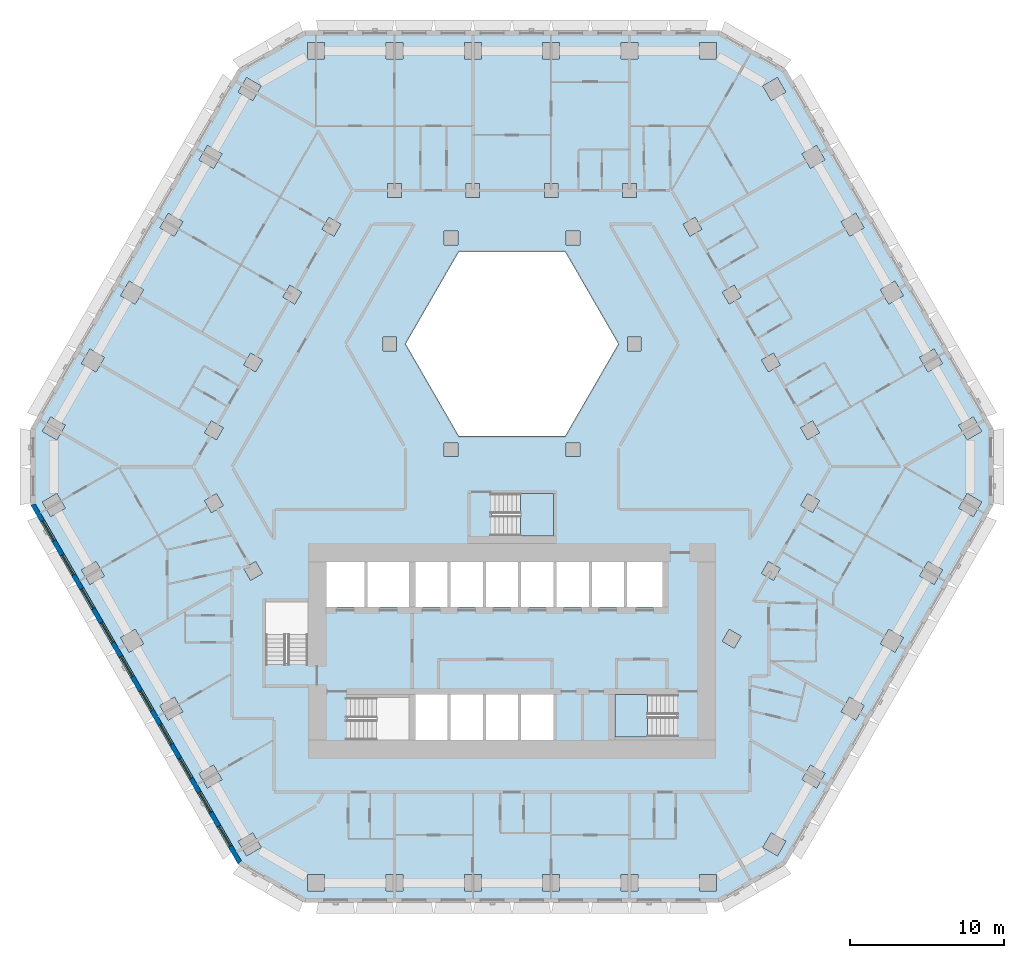
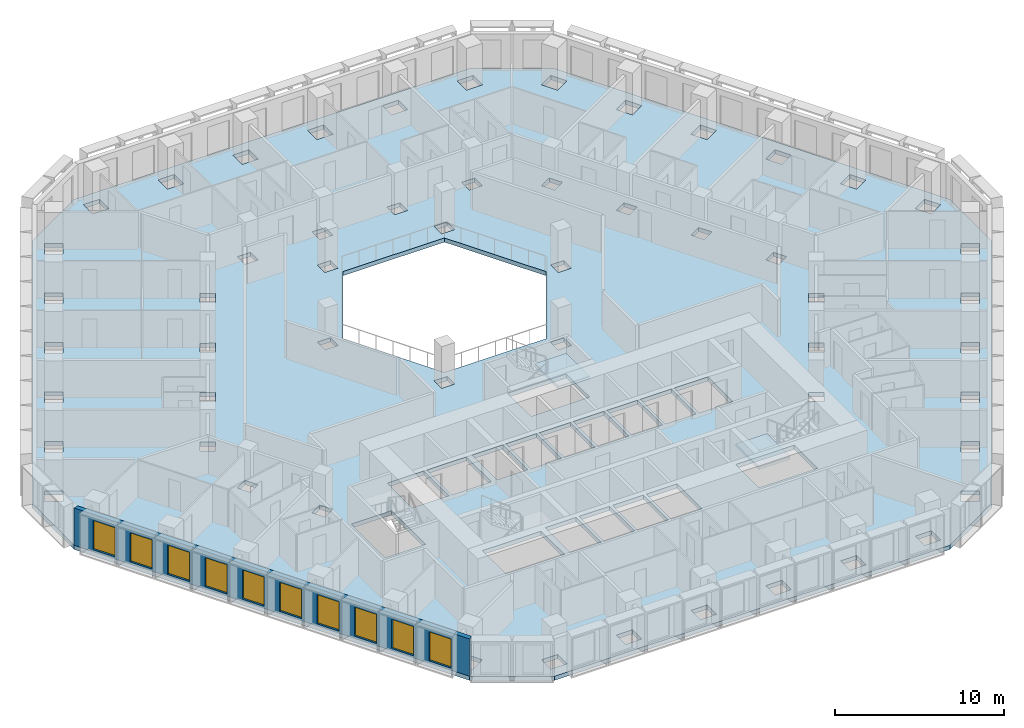
# One storey, part 2 of 21: 10 windows, 3 slabs, 1 wall, 10 openings, 2 elements without a shape of their own.
"""IFC4 building model written with IfcOpenShell, lengths in metres."""

from ifc_helpers import new_model, si_unit, direction, frame, frame_2d, origin, place, context, subcontext, project, spatial, polyline, rectangle, outline, extrude, material, layer, layer_set, type_object, element, fill, aggregate, save


model = new_model("IFC4")

# Units and contexts
model_context = context("Model", 3, precision=1e-05, world=origin(), true_north=direction((0.0, 1.0)))
body_context = subcontext(model_context, "Body", "Model", "MODEL_VIEW")
ifc_project = project(units=[si_unit("LENGTHUNIT", "METRE"), si_unit("AREAUNIT", "SQUARE_METRE"), si_unit("VOLUMEUNIT", "CUBIC_METRE"), si_unit("PLANEANGLEUNIT", "RADIAN"), si_unit("MASSUNIT", "GRAM", prefix="KILO")], contexts=[model_context])

# Site, building, storey
site_placement = place(None, origin())
site = spatial("IfcSite", under=ifc_project, at=site_placement, CompositionType="ELEMENT")
building_placement = place(site_placement, origin())
building = spatial("IfcBuilding", under=site, at=building_placement, Name="Beryl Residences", CompositionType="ELEMENT")
storey_placement = place(building_placement, frame((0.0, 0.0, 47.39990234375)))
storey = spatial("IfcBuildingStorey", under=building, at=storey_placement, Name="L14", CompositionType="ELEMENT", Elevation=47.39990234375)

# Slab
ifc_material_1 = material(Name="Concrete C40/50", Category="concrete")
ifc_layer_1 = layer(ifc_material_1, 0.300048828125)
ifc_layer_set_1 = layer_set([ifc_layer_1], Name="SL7 PT floor slab 300 mm C40/50")
slab_type_1 = type_object("IfcSlabType", Name="SL7 PT floor slab 300 mm C40/50", PredefinedType="FLOOR", material=ifc_layer_set_1)
slab_1_placement = place(storey_placement, frame((0.0, 0.0, -0.2998046875)))
element("IfcSlab", 1, at=slab_1_placement, inside=storey, type_object=slab_type_1, Name="L14 slab 1", PredefinedType="FLOOR", context=body_context, shape_type="SweptSolid", body=[
    extrude(outline(polyline([(31.35009765625, -2.5), (17.840087890625, -25.89990234375), (13.510009765625, -28.39990234375), (-13.510009765625, -28.39990234375), (-17.840087890625, -25.89990234375), (-31.35009765625, -2.5), (-31.35009765625, 2.5), (-17.840087890625, 25.89990234375), (-13.510009765625, 28.39990234375), (13.510009765625, 28.39990234375), (17.840087890625, 25.89990234375), (31.35009765625, 2.5), (31.35009765625, -2.5)]), holes=[polyline([(30.60009765625, -2.298095703125), (29.64794921875, -1.748046875), (29.097900390625, -2.699951171875), (30.050048828125, -3.25), (30.60009765625, -2.298095703125)]), polyline([(30.59912109375, 2.299072265625), (30.049072265625, 3.2509765625), (29.096923828125, 2.700927734375), (29.64697265625, 1.7490234375), (30.59912109375, 2.299072265625)]), polyline([(28.049072265625, -6.718017578125), (27.096923828125, -6.16796875), (26.547119140625, -7.1201171875), (27.4990234375, -7.669921875), (28.049072265625, -6.718017578125)]), polyline([(27.498046875, 7.672119140625), (26.5458984375, 7.1220703125), (27.095947265625, 6.169921875), (28.048095703125, 6.719970703125), (27.498046875, 7.672119140625)]), polyline([(24.544921875, -10.587890625), (23.9951171875, -11.5400390625), (24.947021484375, -12.090087890625), (25.4970703125, -11.137939453125), (24.544921875, -10.587890625)]), polyline([(25.49609375, 11.139892578125), (24.946044921875, 12.092041015625), (23.993896484375, 11.5419921875), (24.5439453125, 10.590087890625), (25.49609375, 11.139892578125)]), polyline([(22.39501953125, -16.510009765625), (22.945068359375, -15.55810546875), (21.992919921875, -15.008056640625), (21.443115234375, -15.9599609375), (22.39501953125, -16.510009765625)]), polyline([(22.39404296875, 16.511962890625), (21.44189453125, 15.9619140625), (21.991943359375, 15.010009765625), (22.944091796875, 15.56005859375), (22.39404296875, 16.511962890625)]), polyline([(20.39306640625, -19.97900390625), (19.44091796875, -19.428955078125), (18.89111328125, -20.381103515625), (19.843017578125, -20.930908203125), (20.39306640625, -19.97900390625)]), polyline([(19.842041015625, 20.931884765625), (18.889892578125, 20.382080078125), (19.43994140625, 19.429931640625), (20.39208984375, 19.97998046875), (19.842041015625, 20.931884765625)]), polyline([(20.031982421875, -2.2041015625), (19.251953125, -1.75390625), (18.802001953125, -2.533935546875), (19.58203125, -2.98388671875), (20.031982421875, -2.2041015625)]), polyline([(20.031005859375, 2.2060546875), (19.5810546875, 2.986083984375), (18.801025390625, 2.535888671875), (19.2509765625, 1.756103515625), (20.031005859375, 2.2060546875)]), polyline([(17.841064453125, -24.39892578125), (16.888916015625, -23.84912109375), (16.339111328125, -24.801025390625), (17.291015625, -25.35107421875), (17.841064453125, -24.39892578125)]), polyline([(17.840087890625, 24.39990234375), (17.2900390625, 25.35205078125), (16.337890625, 24.802001953125), (16.887939453125, 23.85009765625), (17.840087890625, 24.39990234375)]), polyline([(17.47998046875, -6.6240234375), (16.699951171875, -6.174072265625), (16.25, -6.9541015625), (17.030029296875, -7.404052734375), (17.47998046875, -6.6240234375)]), polyline([(17.029052734375, 7.406005859375), (16.2490234375, 6.9560546875), (16.698974609375, 6.176025390625), (17.47900390625, 6.6259765625), (17.029052734375, 7.406005859375)]), polyline([(14.927978515625, -11.0439453125), (14.14794921875, -10.593994140625), (13.697998046875, -11.3740234375), (14.47802734375, -11.823974609375), (14.927978515625, -11.0439453125)]), polyline([(14.927001953125, 11.0458984375), (14.47705078125, 11.825927734375), (13.697021484375, 11.3759765625), (14.14697265625, 10.595947265625), (14.927001953125, 11.0458984375)]), polyline([(13.31103515625, -27.64990234375), (13.31103515625, -26.550048828125), (12.2109375, -26.550048828125), (12.2109375, -27.64990234375), (13.31103515625, -27.64990234375)]), polyline([(13.30908203125, 27.64990234375), (12.208984375, 27.64990234375), (12.208984375, 26.550048828125), (13.30908203125, 26.550048828125), (13.30908203125, 27.64990234375)]), polyline([(11.925048828125, 16.24609375), (11.14501953125, 15.7958984375), (11.594970703125, 15.01611328125), (12.375, 15.466064453125), (11.925048828125, 16.24609375)]), polyline([(10.699951171875, -14.85009765625), (6.699951171875, -14.85009765625), (6.699951171875, -17.60009765625), (10.699951171875, -17.60009765625), (10.699951171875, -14.85009765625)]), polyline([(9.800048828125, -6.199951171875), (7.5, -6.199951171875), (7.5, -9.14990234375), (9.800048828125, -9.14990234375), (9.800048828125, -6.199951171875)]), polyline([(8.4169921875, 7.550048828125), (8.4169921875, 8.449951171875), (7.51708984375, 8.449951171875), (7.51708984375, 7.550048828125), (8.4169921875, 7.550048828125)]), polyline([(7.10693359375, -27.64990234375), (8.20703125, -27.64990234375), (8.20703125, -26.550048828125), (7.10693359375, -26.550048828125), (7.10693359375, -27.64990234375)]), polyline([(8.205078125, 27.64990234375), (7.10498046875, 27.64990234375), (7.10498046875, 26.550048828125), (8.205078125, 26.550048828125), (8.205078125, 27.64990234375)]), polyline([(7.205078125, 18.449951171875), (7.205078125, 17.550048828125), (8.10498046875, 17.550048828125), (8.10498046875, 18.449951171875), (7.205078125, 18.449951171875)]), polyline([(5.199951171875, -9.14990234375), (7.300048828125, -9.14990234375), (7.300048828125, -6.199951171875), (5.199951171875, -6.199951171875), (5.199951171875, -9.14990234375)]), polyline([(3.464111328125, 14.0), (-3.464111328125, 14.0), (-6.92822265625, 8.0), (-3.464111328125, 2.0), (3.464111328125, 2.0), (6.92822265625, 8.0), (3.464111328125, 14.0)]), polyline([(2.89990234375, -6.199951171875), (2.89990234375, -9.14990234375), (5.0, -9.14990234375), (5.0, -6.199951171875), (2.89990234375, -6.199951171875)]), polyline([(4.43408203125, 15.35009765625), (3.533935546875, 15.35009765625), (3.533935546875, 14.449951171875), (4.43408203125, 14.449951171875), (4.43408203125, 15.35009765625)]), polyline([(4.43408203125, 0.64990234375), (4.43408203125, 1.550048828125), (3.533935546875, 1.550048828125), (3.533935546875, 0.64990234375), (4.43408203125, 0.64990234375)]), polyline([(3.10302734375, -27.64990234375), (3.10302734375, -26.550048828125), (2.0029296875, -26.550048828125), (2.0029296875, -27.64990234375), (3.10302734375, -27.64990234375)]), polyline([(2.0009765625, 27.64990234375), (2.0009765625, 26.550048828125), (3.10107421875, 26.550048828125), (3.10107421875, 27.64990234375), (2.0009765625, 27.64990234375)]), polyline([(3.0009765625, 18.449951171875), (2.10107421875, 18.449951171875), (2.10107421875, 17.550048828125), (3.0009765625, 17.550048828125), (3.0009765625, 18.449951171875)]), polyline([(-1.300048828125, -1.75), (-1.300048828125, -4.5), (2.699951171875, -4.5), (2.699951171875, -1.75), (-1.300048828125, -1.75)]), polyline([(0.60009765625, -9.14990234375), (2.699951171875, -9.14990234375), (2.699951171875, -6.199951171875), (0.60009765625, -6.199951171875), (0.60009765625, -9.14990234375)]), polyline([(0.60009765625, -17.800048828125), (2.699951171875, -17.800048828125), (2.699951171875, -14.85009765625), (0.60009765625, -14.85009765625), (0.60009765625, -17.800048828125)]), polyline([(-1.699951171875, -6.199951171875), (-1.699951171875, -9.14990234375), (0.39990234375, -9.14990234375), (0.39990234375, -6.199951171875), (-1.699951171875, -6.199951171875)]), polyline([(-1.699951171875, -14.85009765625), (-1.699951171875, -17.800048828125), (0.39990234375, -17.800048828125), (0.39990234375, -14.85009765625), (-1.699951171875, -14.85009765625)]), polyline([(-4.0, -9.14990234375), (-1.89990234375, -9.14990234375), (-1.89990234375, -6.199951171875), (-4.0, -6.199951171875), (-4.0, -9.14990234375)]), polyline([(-4.0, -17.800048828125), (-1.89990234375, -17.800048828125), (-1.89990234375, -14.85009765625), (-4.0, -14.85009765625), (-4.0, -17.800048828125)]), polyline([(-2.0009765625, -27.64990234375), (-2.0009765625, -26.550048828125), (-3.10107421875, -26.550048828125), (-3.10107421875, -27.64990234375), (-2.0009765625, -27.64990234375)]), polyline([(-3.10302734375, 27.64990234375), (-3.10302734375, 26.550048828125), (-2.0029296875, 26.550048828125), (-2.0029296875, 27.64990234375), (-3.10302734375, 27.64990234375)]), polyline([(-2.10302734375, 18.449951171875), (-3.0029296875, 18.449951171875), (-3.0029296875, 17.550048828125), (-2.10302734375, 17.550048828125), (-2.10302734375, 18.449951171875)]), polyline([(-3.533935546875, 14.449951171875), (-3.533935546875, 15.35009765625), (-4.43408203125, 15.35009765625), (-4.43408203125, 14.449951171875), (-3.533935546875, 14.449951171875)]), polyline([(-3.533935546875, 0.64990234375), (-3.533935546875, 1.550048828125), (-4.43408203125, 1.550048828125), (-4.43408203125, 0.64990234375), (-3.533935546875, 0.64990234375)]), polyline([(-6.300048828125, -9.14990234375), (-4.199951171875, -9.14990234375), (-4.199951171875, -6.199951171875), (-6.300048828125, -6.199951171875), (-6.300048828125, -9.14990234375)]), polyline([(-6.300048828125, -14.85009765625), (-6.300048828125, -17.800048828125), (-4.199951171875, -17.800048828125), (-4.199951171875, -14.85009765625), (-6.300048828125, -14.85009765625)]), polyline([(-6.699951171875, -17.800048828125), (-6.699951171875, -15.050048828125), (-10.699951171875, -15.050048828125), (-10.699951171875, -17.800048828125), (-6.699951171875, -17.800048828125)]), polyline([(-9.39990234375, -6.199951171875), (-9.39990234375, -9.14990234375), (-6.699951171875, -9.14990234375), (-6.699951171875, -6.199951171875), (-9.39990234375, -6.199951171875)]), polyline([(-8.205078125, -27.64990234375), (-7.10498046875, -27.64990234375), (-7.10498046875, -26.550048828125), (-8.205078125, -26.550048828125), (-8.205078125, -27.64990234375)]), polyline([(-7.10693359375, 27.64990234375), (-8.20703125, 27.64990234375), (-8.20703125, 26.550048828125), (-7.10693359375, 26.550048828125), (-7.10693359375, 27.64990234375)]), polyline([(-8.10693359375, 18.449951171875), (-8.10693359375, 17.550048828125), (-7.20703125, 17.550048828125), (-7.20703125, 18.449951171875), (-8.10693359375, 18.449951171875)]), polyline([(-8.4169921875, 7.550048828125), (-7.51708984375, 7.550048828125), (-7.51708984375, 8.449951171875), (-8.4169921875, 8.449951171875), (-8.4169921875, 7.550048828125)]), polyline([(-12.10009765625, -6.199951171875), (-12.10009765625, -9.14990234375), (-9.60009765625, -9.14990234375), (-9.60009765625, -6.199951171875), (-12.10009765625, -6.199951171875)]), polyline([(-12.3759765625, 15.465087890625), (-11.595947265625, 15.014892578125), (-11.14599609375, 15.794921875), (-11.926025390625, 16.2451171875), (-12.3759765625, 15.465087890625)]), polyline([(-12.208984375, -26.550048828125), (-13.30908203125, -26.550048828125), (-13.30908203125, -27.64990234375), (-12.208984375, -27.64990234375), (-12.208984375, -26.550048828125)]), polyline([(-13.31103515625, 27.64990234375), (-13.31103515625, 26.550048828125), (-12.2109375, 26.550048828125), (-12.2109375, 27.64990234375), (-13.31103515625, 27.64990234375)]), polyline([(-13.300048828125, -8.800048828125), (-16.050048828125, -8.800048828125), (-16.050048828125, -12.800048828125), (-13.300048828125, -12.800048828125), (-13.300048828125, -8.800048828125)]), polyline([(-14.47802734375, 11.823974609375), (-14.927978515625, 11.0439453125), (-14.14794921875, 10.593994140625), (-13.697998046875, 11.3740234375), (-14.47802734375, 11.823974609375)]), polyline([(-17.029052734375, -7.406005859375), (-16.2490234375, -6.9560546875), (-16.698974609375, -6.176025390625), (-17.47900390625, -6.6259765625), (-17.029052734375, -7.406005859375)]), polyline([(-17.47998046875, 6.6240234375), (-16.699951171875, 6.174072265625), (-16.25, 6.9541015625), (-17.030029296875, 7.404052734375), (-17.47998046875, 6.6240234375)]), polyline([(-17.2900390625, -25.35205078125), (-16.337890625, -24.802001953125), (-16.887939453125, -23.85009765625), (-17.840087890625, -24.39990234375), (-17.2900390625, -25.35205078125)]), polyline([(-17.841064453125, 24.39892578125), (-16.888916015625, 23.84912109375), (-16.339111328125, 24.801025390625), (-17.291015625, 25.35107421875), (-17.841064453125, 24.39892578125)]), polyline([(-20.031005859375, -2.2060546875), (-19.5810546875, -2.986083984375), (-18.801025390625, -2.535888671875), (-19.2509765625, -1.756103515625), (-20.031005859375, -2.2060546875)]), polyline([(-19.58203125, 2.98388671875), (-20.031982421875, 2.2041015625), (-19.251953125, 1.75390625), (-18.802001953125, 2.533935546875), (-19.58203125, 2.98388671875)]), polyline([(-19.842041015625, -20.931884765625), (-18.889892578125, -20.382080078125), (-19.43994140625, -19.429931640625), (-20.39208984375, -19.97998046875), (-19.842041015625, -20.931884765625)]), polyline([(-20.39306640625, 19.97900390625), (-19.44091796875, 19.428955078125), (-18.89111328125, 20.381103515625), (-19.843017578125, 20.930908203125), (-20.39306640625, 19.97900390625)]), polyline([(-22.39404296875, -16.511962890625), (-21.44189453125, -15.9619140625), (-21.991943359375, -15.010009765625), (-22.944091796875, -15.56005859375), (-22.39404296875, -16.511962890625)]), polyline([(-22.945068359375, 15.55810546875), (-21.992919921875, 15.008056640625), (-21.443115234375, 15.9599609375), (-22.39501953125, 16.510009765625), (-22.945068359375, 15.55810546875)]), polyline([(-24.946044921875, -12.092041015625), (-23.993896484375, -11.5419921875), (-24.5439453125, -10.590087890625), (-25.49609375, -11.139892578125), (-24.946044921875, -12.092041015625)]), polyline([(-24.544921875, 10.587890625), (-23.9951171875, 11.5400390625), (-24.947021484375, 12.090087890625), (-25.4970703125, 11.137939453125), (-24.544921875, 10.587890625)]), polyline([(-27.498046875, -7.672119140625), (-26.5458984375, -7.1220703125), (-27.095947265625, -6.169921875), (-28.048095703125, -6.719970703125), (-27.498046875, -7.672119140625)]), polyline([(-28.049072265625, 6.718017578125), (-27.096923828125, 6.16796875), (-26.547119140625, 7.1201171875), (-27.4990234375, 7.669921875), (-28.049072265625, 6.718017578125)]), polyline([(-29.096923828125, -2.700927734375), (-29.64697265625, -1.7490234375), (-30.59912109375, -2.299072265625), (-30.049072265625, -3.2509765625), (-29.096923828125, -2.700927734375)]), polyline([(-30.60009765625, 2.298095703125), (-29.64794921875, 1.748046875), (-29.097900390625, 2.699951171875), (-30.050048828125, 3.25), (-30.60009765625, 2.298095703125)])]), origin(), (0.0, 0.0, 1.0), 0.2998046875),
])

# Stair, slab
ifc_material_2 = material(Name="Concrete C40/50", Category="concrete")
stair_type = type_object("IfcStairType", Name="ST1 protected exit stair, half-turn, 1300 mm flights", PredefinedType="HALF_TURN_STAIR", material=ifc_material_2)
stair_1_placement = place(storey_placement, origin())
stair_1 = element("IfcStair", 2, at=stair_1_placement, inside=storey, type_object=stair_type, Name="L14 PROTECTED EXIT STAIR ST-3", PredefinedType="HALF_TURN_STAIR")
ifc_material_3 = material(Name="Concrete C40/50", Category="concrete")
ifc_layer_2 = layer(ifc_material_3, 0.199951171875)
ifc_layer_set_2 = layer_set([ifc_layer_2], Name="SLD1 stair landing 200 mm")
slab_type_2 = type_object("IfcSlabType", Name="SLD1 stair landing 200 mm", PredefinedType="LANDING", material=ifc_layer_set_2)
slab_2_placement = place(storey_placement, frame((0.0, 0.0, 1.300048828125)))
slab_2 = element("IfcSlab", 3, at=slab_2_placement, type_object=slab_type_2, Name="ST-3 landing 1", PredefinedType="LANDING", context=body_context, shape_type="SweptSolid", body=[
    extrude(outline(polyline([(8.840087890625, -14.85009765625), (6.699951171875, -14.85009765625), (6.699951171875, -17.60009765625), (8.840087890625, -17.60009765625), (8.840087890625, -14.85009765625)])), origin(), (0.0, 0.0, 1.0), 0.199951171875),
])
aggregate(stair_1, [slab_2])

stair_2_placement = place(storey_placement, origin())
stair_2 = element("IfcStair", 4, at=stair_2_placement, inside=storey, type_object=stair_type, Name="L14 PROTECTED EXIT STAIR ST-4", PredefinedType="HALF_TURN_STAIR")
slab_3_placement = place(storey_placement, frame((0.0, 0.0, 1.300048828125)))
slab_3 = element("IfcSlab", 5, at=slab_3_placement, type_object=slab_type_2, Name="ST-4 landing 1", PredefinedType="LANDING", context=body_context, shape_type="SweptSolid", body=[
    extrude(outline(polyline([(0.56005859375, -4.5), (2.699951171875, -4.5), (2.699951171875, -1.75), (0.56005859375, -1.75), (0.56005859375, -4.5)])), origin(), (0.0, 0.0, 1.0), 0.199951171875),
])
aggregate(stair_2, [slab_3])

# Wall, openings, windows
ifc_material_4 = material(Name="Composite metal panel with mineral wool insulation")
ifc_layer_3 = layer(ifc_material_4, 0.300048828125)
ifc_layer_set_3 = layer_set([ifc_layer_3], Name="ES1 pale metal composite panel wall 300 mm")
wall_type = type_object("IfcWallType", Name="ES1 pale metal composite panel wall 300 mm", PredefinedType="SOLIDWALL", material=ifc_layer_set_3)
wall_placement = place(storey_placement, frame((-31.219970703125, -2.425048828125, 0.0), z_axis=(0.0, 0.0, 1.0), x_axis=(0.500001938803, -0.866024284413, 0.0)))
wall = element("IfcWall", 6, at=wall_placement, inside=storey, type_object=wall_type, Name="ES1 external wall L14 SW", PredefinedType="SOLIDWALL", context=body_context, shape_type="SweptSolid", body=[
    extrude(outline(polyline([(0.0, -0.14990234375), (27.02001953125, -0.14990234375), (26.939697265625, 0.14990234375), (0.080322265625, 0.14990234375), (0.0, -0.14990234375)])), origin(), (0.0, 0.0, 1.0), 2.7001953125),
])
opening_1_placement = place(wall_placement, frame((1.277099609375, 0.0, 0.14990234375)))
opening_1 = element("IfcOpeningElement", 7, at=opening_1_placement, cuts=wall, Name="Opening W1", PredefinedType="OPENING", context=body_context, shape_type="SweptSolid", body=[
    extrude(rectangle(XDim=1.5, YDim=2.10009765625, at=frame_2d((0.75, 1.050048828125))), frame((0.0, 0.159912109375, 0.0), z_axis=(0.0, -1.0, 0.0), x_axis=(1.0, 0.0, 0.0)), (0.0, 0.0, 1.0), 0.320068359375),
])
opening_2_placement = place(wall_placement, frame((3.8291015625, 0.0, 0.14990234375)))
opening_2 = element("IfcOpeningElement", 8, at=opening_2_placement, cuts=wall, Name="Opening W1", PredefinedType="OPENING", context=body_context, shape_type="SweptSolid", body=[
    extrude(rectangle(XDim=1.5, YDim=2.10009765625, at=frame_2d((0.75, 1.050048828125))), frame((0.0, 0.159912109375, 0.0), z_axis=(0.0, -1.0, 0.0), x_axis=(1.0, 0.0, 0.0)), (0.0, 0.0, 1.0), 0.320068359375),
])
opening_3_placement = place(wall_placement, frame((6.382080078125, 0.0, 0.14990234375)))
opening_3 = element("IfcOpeningElement", 9, at=opening_3_placement, cuts=wall, Name="Opening W1", PredefinedType="OPENING", context=body_context, shape_type="SweptSolid", body=[
    extrude(rectangle(XDim=1.5, YDim=2.10009765625, at=frame_2d((0.75, 1.050048828125))), frame((0.0, 0.159912109375, 0.0), z_axis=(0.0, -1.0, 0.0), x_axis=(1.0, 0.0, 0.0)), (0.0, 0.0, 1.0), 0.320068359375),
])
opening_4_placement = place(wall_placement, frame((8.93310546875, 0.0, 0.14990234375)))
opening_4 = element("IfcOpeningElement", 10, at=opening_4_placement, cuts=wall, Name="Opening W1", PredefinedType="OPENING", context=body_context, shape_type="SweptSolid", body=[
    extrude(rectangle(XDim=1.5, YDim=2.10009765625, at=frame_2d((0.75, 1.050048828125))), frame((0.0, 0.159912109375, 0.0), z_axis=(0.0, -1.0, 0.0), x_axis=(1.0, 0.0, 0.0)), (0.0, 0.0, 1.0), 0.320068359375),
])
opening_5_placement = place(wall_placement, frame((11.485107421875, 0.0, 0.14990234375)))
opening_5 = element("IfcOpeningElement", 11, at=opening_5_placement, cuts=wall, Name="Opening W1", PredefinedType="OPENING", context=body_context, shape_type="SweptSolid", body=[
    extrude(rectangle(XDim=1.5, YDim=2.10009765625, at=frame_2d((0.75, 1.050048828125))), frame((0.0, 0.159912109375, 0.0), z_axis=(0.0, -1.0, 0.0), x_axis=(1.0, 0.0, 0.0)), (0.0, 0.0, 1.0), 0.320068359375),
])
opening_6_placement = place(wall_placement, frame((14.037109375, 0.0, 0.14990234375)))
opening_6 = element("IfcOpeningElement", 12, at=opening_6_placement, cuts=wall, Name="Opening W1", PredefinedType="OPENING", context=body_context, shape_type="SweptSolid", body=[
    extrude(rectangle(XDim=1.5, YDim=2.10009765625, at=frame_2d((0.75, 1.050048828125))), frame((0.0, 0.159912109375, 0.0), z_axis=(0.0, -1.0, 0.0), x_axis=(1.0, 0.0, 0.0)), (0.0, 0.0, 1.0), 0.320068359375),
])
opening_7_placement = place(wall_placement, frame((16.589111328125, 0.0, 0.14990234375)))
opening_7 = element("IfcOpeningElement", 13, at=opening_7_placement, cuts=wall, Name="Opening W1", PredefinedType="OPENING", context=body_context, shape_type="SweptSolid", body=[
    extrude(rectangle(XDim=1.5, YDim=2.10009765625, at=frame_2d((0.75, 1.050048828125))), frame((0.0, 0.159912109375, 0.0), z_axis=(0.0, -1.0, 0.0), x_axis=(1.0, 0.0, 0.0)), (0.0, 0.0, 1.0), 0.320068359375),
])
opening_8_placement = place(wall_placement, frame((19.14111328125, 0.0, 0.14990234375)))
opening_8 = element("IfcOpeningElement", 14, at=opening_8_placement, cuts=wall, Name="Opening W1", PredefinedType="OPENING", context=body_context, shape_type="SweptSolid", body=[
    extrude(rectangle(XDim=1.5, YDim=2.10009765625, at=frame_2d((0.75, 1.050048828125))), frame((0.0, 0.159912109375, 0.0), z_axis=(0.0, -1.0, 0.0), x_axis=(1.0, 0.0, 0.0)), (0.0, 0.0, 1.0), 0.320068359375),
])
opening_9_placement = place(wall_placement, frame((21.693115234375, 0.0, 0.14990234375)))
opening_9 = element("IfcOpeningElement", 15, at=opening_9_placement, cuts=wall, Name="Opening W1", PredefinedType="OPENING", context=body_context, shape_type="SweptSolid", body=[
    extrude(rectangle(XDim=1.5, YDim=2.10009765625, at=frame_2d((0.75, 1.050048828125))), frame((0.0, 0.159912109375, 0.0), z_axis=(0.0, -1.0, 0.0), x_axis=(1.0, 0.0, 0.0)), (0.0, 0.0, 1.0), 0.320068359375),
])
opening_10_placement = place(wall_placement, frame((24.243896484375, 0.0, 0.14990234375)))
opening_10 = element("IfcOpeningElement", 16, at=opening_10_placement, cuts=wall, Name="Opening W1", PredefinedType="OPENING", context=body_context, shape_type="SweptSolid", body=[
    extrude(rectangle(XDim=1.5, YDim=2.10009765625, at=frame_2d((0.75, 1.050048828125))), frame((0.0, 0.159912109375, 0.0), z_axis=(0.0, -1.0, 0.0), x_axis=(1.0, 0.0, 0.0)), (0.0, 0.0, 1.0), 0.320068359375),
])
ifc_material_5 = material(Name="Aluminium and clear glass", Category="aluminium")
window_type = type_object("IfcWindowType", Name="W1 cell window 1500 x 2100 mm", PartitioningType="SINGLE_PANEL", PredefinedType="WINDOW", material=ifc_material_5)
window_1_placement = place(opening_1_placement, origin())
window_1 = element("IfcWindow", 17, at=window_1_placement, inside=storey, type_object=window_type, Name="W1 window L14 SW 1", OverallHeight=2.10009765625, OverallWidth=1.5, PartitioningType="SINGLE_PANEL", PredefinedType="WINDOW", context=body_context, shape_type="SweptSolid", body=[
    extrude(rectangle(XDim=1.5, YDim=2.10009765625, at=frame_2d((0.75, 1.050048828125))), frame((0.0, 0.030029296875, 0.0), z_axis=(0.0, -1.0, 0.0), x_axis=(1.0, 0.0, 0.0)), (0.0, 0.0, 1.0), 0.06005859375),
])
fill(opening_1, window_1)
window_2_placement = place(opening_2_placement, origin())
window_2 = element("IfcWindow", 18, at=window_2_placement, inside=storey, type_object=window_type, Name="W1 window L14 SW 2", OverallHeight=2.10009765625, OverallWidth=1.5, PartitioningType="SINGLE_PANEL", PredefinedType="WINDOW", context=body_context, shape_type="SweptSolid", body=[
    extrude(rectangle(XDim=1.5, YDim=2.10009765625, at=frame_2d((0.75, 1.050048828125))), frame((0.0, 0.030029296875, 0.0), z_axis=(0.0, -1.0, 0.0), x_axis=(1.0, 0.0, 0.0)), (0.0, 0.0, 1.0), 0.06005859375),
])
fill(opening_2, window_2)
window_3_placement = place(opening_3_placement, origin())
window_3 = element("IfcWindow", 19, at=window_3_placement, inside=storey, type_object=window_type, Name="W1 window L14 SW 3", OverallHeight=2.10009765625, OverallWidth=1.5, PartitioningType="SINGLE_PANEL", PredefinedType="WINDOW", context=body_context, shape_type="SweptSolid", body=[
    extrude(rectangle(XDim=1.5, YDim=2.10009765625, at=frame_2d((0.75, 1.050048828125))), frame((0.0, 0.030029296875, 0.0), z_axis=(0.0, -1.0, 0.0), x_axis=(1.0, 0.0, 0.0)), (0.0, 0.0, 1.0), 0.06005859375),
])
fill(opening_3, window_3)
window_4_placement = place(opening_4_placement, origin())
window_4 = element("IfcWindow", 20, at=window_4_placement, inside=storey, type_object=window_type, Name="W1 window L14 SW 4", OverallHeight=2.10009765625, OverallWidth=1.5, PartitioningType="SINGLE_PANEL", PredefinedType="WINDOW", context=body_context, shape_type="SweptSolid", body=[
    extrude(rectangle(XDim=1.5, YDim=2.10009765625, at=frame_2d((0.75, 1.050048828125))), frame((0.0, 0.030029296875, 0.0), z_axis=(0.0, -1.0, 0.0), x_axis=(1.0, 0.0, 0.0)), (0.0, 0.0, 1.0), 0.06005859375),
])
fill(opening_4, window_4)
window_5_placement = place(opening_5_placement, origin())
window_5 = element("IfcWindow", 21, at=window_5_placement, inside=storey, type_object=window_type, Name="W1 window L14 SW 5", OverallHeight=2.10009765625, OverallWidth=1.5, PartitioningType="SINGLE_PANEL", PredefinedType="WINDOW", context=body_context, shape_type="SweptSolid", body=[
    extrude(rectangle(XDim=1.5, YDim=2.10009765625, at=frame_2d((0.75, 1.050048828125))), frame((0.0, 0.030029296875, 0.0), z_axis=(0.0, -1.0, 0.0), x_axis=(1.0, 0.0, 0.0)), (0.0, 0.0, 1.0), 0.06005859375),
])
fill(opening_5, window_5)
window_6_placement = place(opening_6_placement, origin())
window_6 = element("IfcWindow", 22, at=window_6_placement, inside=storey, type_object=window_type, Name="W1 window L14 SW 6", OverallHeight=2.10009765625, OverallWidth=1.5, PartitioningType="SINGLE_PANEL", PredefinedType="WINDOW", context=body_context, shape_type="SweptSolid", body=[
    extrude(rectangle(XDim=1.5, YDim=2.10009765625, at=frame_2d((0.75, 1.050048828125))), frame((0.0, 0.030029296875, 0.0), z_axis=(0.0, -1.0, 0.0), x_axis=(1.0, 0.0, 0.0)), (0.0, 0.0, 1.0), 0.06005859375),
])
fill(opening_6, window_6)
window_7_placement = place(opening_7_placement, origin())
window_7 = element("IfcWindow", 23, at=window_7_placement, inside=storey, type_object=window_type, Name="W1 window L14 SW 7", OverallHeight=2.10009765625, OverallWidth=1.5, PartitioningType="SINGLE_PANEL", PredefinedType="WINDOW", context=body_context, shape_type="SweptSolid", body=[
    extrude(rectangle(XDim=1.5, YDim=2.10009765625, at=frame_2d((0.75, 1.050048828125))), frame((0.0, 0.030029296875, 0.0), z_axis=(0.0, -1.0, 0.0), x_axis=(1.0, 0.0, 0.0)), (0.0, 0.0, 1.0), 0.06005859375),
])
fill(opening_7, window_7)
window_8_placement = place(opening_8_placement, origin())
window_8 = element("IfcWindow", 24, at=window_8_placement, inside=storey, type_object=window_type, Name="W1 window L14 SW 8", OverallHeight=2.10009765625, OverallWidth=1.5, PartitioningType="SINGLE_PANEL", PredefinedType="WINDOW", context=body_context, shape_type="SweptSolid", body=[
    extrude(rectangle(XDim=1.5, YDim=2.10009765625, at=frame_2d((0.75, 1.050048828125))), frame((0.0, 0.030029296875, 0.0), z_axis=(0.0, -1.0, 0.0), x_axis=(1.0, 0.0, 0.0)), (0.0, 0.0, 1.0), 0.06005859375),
])
fill(opening_8, window_8)
window_9_placement = place(opening_9_placement, origin())
window_9 = element("IfcWindow", 25, at=window_9_placement, inside=storey, type_object=window_type, Name="W1 window L14 SW 9", OverallHeight=2.10009765625, OverallWidth=1.5, PartitioningType="SINGLE_PANEL", PredefinedType="WINDOW", context=body_context, shape_type="SweptSolid", body=[
    extrude(rectangle(XDim=1.5, YDim=2.10009765625, at=frame_2d((0.75, 1.050048828125))), frame((0.0, 0.030029296875, 0.0), z_axis=(0.0, -1.0, 0.0), x_axis=(1.0, 0.0, 0.0)), (0.0, 0.0, 1.0), 0.06005859375),
])
fill(opening_9, window_9)
window_10_placement = place(opening_10_placement, origin())
window_10 = element("IfcWindow", 26, at=window_10_placement, inside=storey, type_object=window_type, Name="W1 window L14 SW 10", OverallHeight=2.10009765625, OverallWidth=1.5, PartitioningType="SINGLE_PANEL", PredefinedType="WINDOW", context=body_context, shape_type="SweptSolid", body=[
    extrude(rectangle(XDim=1.5, YDim=2.10009765625, at=frame_2d((0.75, 1.050048828125))), frame((0.0, 0.030029296875, 0.0), z_axis=(0.0, -1.0, 0.0), x_axis=(1.0, 0.0, 0.0)), (0.0, 0.0, 1.0), 0.06005859375),
])
fill(opening_10, window_10)

save(model, "model.ifc")
